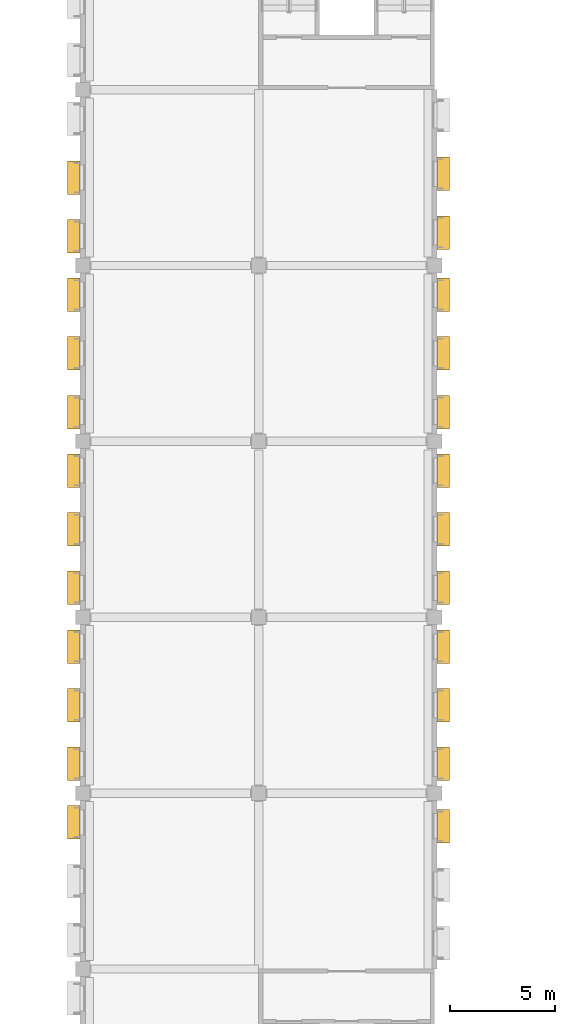
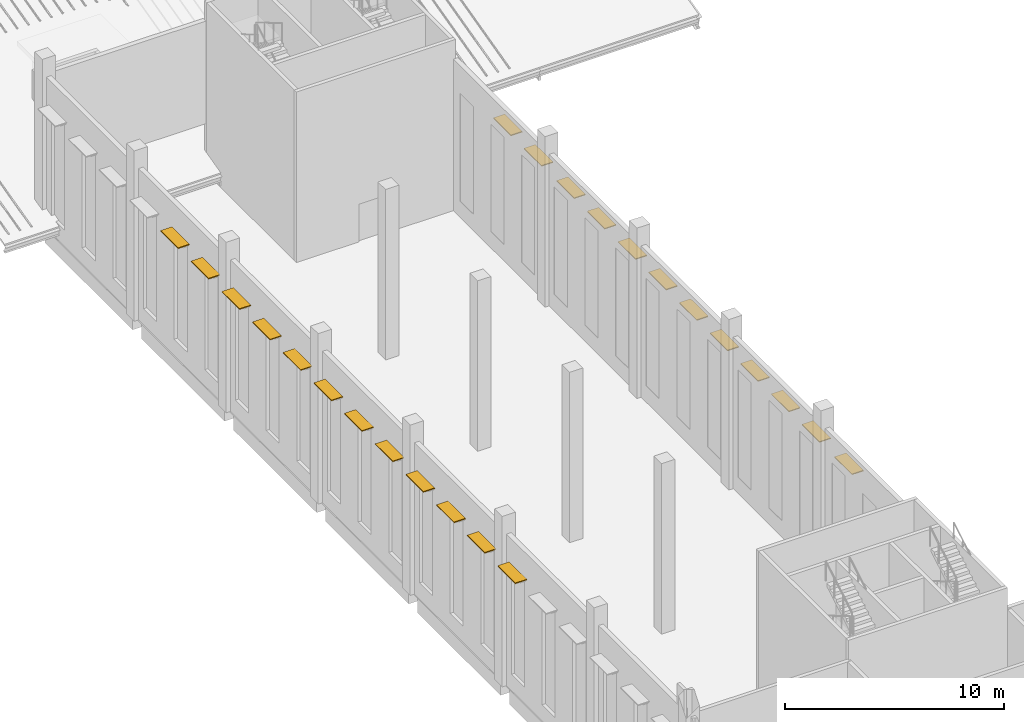
# One storey, part 82 of 114: 24 shading devices.
"""IFC4 building model written with IfcOpenShell, lengths in metres."""

from ifc_helpers import new_model, si_unit, direction, frame, origin, origin_2d, place, context, subcontext, project, spatial, rectangle, extrude, material, material_profile, profile_set, type_object, element, save


model = new_model("IFC4")

# Units and contexts
model_context = context("Model", 3, precision=1e-05, world=origin(), true_north=direction((0.0, 1.0)))
body_context = subcontext(model_context, "Body", "Model", "MODEL_VIEW")
ifc_project = project(units=[si_unit("LENGTHUNIT", "METRE"), si_unit("AREAUNIT", "SQUARE_METRE"), si_unit("VOLUMEUNIT", "CUBIC_METRE"), si_unit("PLANEANGLEUNIT", "RADIAN"), si_unit("MASSUNIT", "GRAM", prefix="KILO")], contexts=[model_context])

# Site, building, storey
site_placement = place(None, origin())
site = spatial("IfcSite", under=ifc_project, at=site_placement, CompositionType="ELEMENT")
building_placement = place(site_placement, origin())
building = spatial("IfcBuilding", under=site, at=building_placement, Name="Almond Square Museum", CompositionType="ELEMENT")
storey_placement = place(building_placement, frame((0.0, 0.0, 10.5)))
storey = spatial("IfcBuildingStorey", under=building, at=storey_placement, Name="L02", CompositionType="ELEMENT", Elevation=10.5)

# Shading devices
ifc_material = material(Name="Anodised aluminium", Category="aluminium")
ifc_material_profile = material_profile(ifc_material, rectangle(XDim=0.60009765625, YDim=0.050048828125, at=origin_2d()))
ifc_profile_set = profile_set([ifc_material_profile], Name="Anodised aluminium")
shading_device_type = type_object("IfcShadingDeviceType", Name="Sun-shade blade 600 x 50", PredefinedType="USERDEFINED", material=ifc_profile_set)
shading_device_1_placement = place(storey_placement, frame((23.222900390625, 31.22509765625, 7.02001953125), z_axis=(0.0, 1.0, 0.0), x_axis=(-1.0, 0.0, 0.0)))
element("IfcShadingDevice", 1, at=shading_device_1_placement, inside=storey, type_object=shading_device_type, Name="Sun-shade blade", ObjectType="LOUVRE", PredefinedType="USERDEFINED", context=body_context, shape_type="SweptSolid", body=[
    extrude(rectangle(XDim=0.60009765625, YDim=0.050048828125, at=origin_2d()), origin(), (0.0, 0.0, 1.0), 1.599853515625),
])
for number, where, z_axis, x_axis, name in (
    (2, (23.222900390625, 34.199951171875, 7.02001953125), (0.0, 1.0, 0.0), (-1.0, 0.0, 0.0), "Sun-shade blade"),
    (3, (23.222900390625, 37.0, 7.02001953125), (0.0, 1.0, 0.0), (-1.0, 0.0, 0.0), "Sun-shade blade"),
):
    element("IfcShadingDevice", number, at=place(storey_placement, frame(where, z_axis=z_axis, x_axis=x_axis)), inside=storey, type_object=shading_device_type, Name=name, ObjectType="LOUVRE", PredefinedType="USERDEFINED", context=body_context, shape_type="SweptSolid", body=[
        extrude(rectangle(XDim=0.60009765625, YDim=0.050048828125, at=origin_2d()), origin(), (0.0, 0.0, 1.0), 1.60009765625),
    ])
for number, where, z_axis, x_axis, name in (
    (4, (23.222900390625, 39.800048828125, 7.02001953125), (0.0, 1.0, 0.0), (-1.0, 0.0, 0.0), "Sun-shade blade"),
    (5, (23.222900390625, 42.60009765625, 7.02001953125), (0.0, 1.0, 0.0), (-1.0, 0.0, 0.0), "Sun-shade blade"),
):
    element("IfcShadingDevice", number, at=place(storey_placement, frame(where, z_axis=z_axis, x_axis=x_axis)), inside=storey, type_object=shading_device_type, Name=name, ObjectType="LOUVRE", PredefinedType="USERDEFINED", context=body_context, shape_type="SweptSolid", body=[
        extrude(rectangle(XDim=0.60009765625, YDim=0.050048828125, at=origin_2d()), origin(), (0.0, 0.0, 1.0), 1.599853515625),
    ])
for number, where, z_axis, x_axis, name in (
    (6, (23.222900390625, 45.39990234375, 7.02001953125), (0.0, 1.0, 0.0), (-1.0, 0.0, 0.0), "Sun-shade blade"),
    (7, (23.222900390625, 48.199951171875, 7.02001953125), (0.0, 1.0, 0.0), (-1.0, 0.0, 0.0), "Sun-shade blade"),
    (8, (23.222900390625, 51.0, 7.02001953125), (0.0, 1.0, 0.0), (-1.0, 0.0, 0.0), "Sun-shade blade"),
):
    element("IfcShadingDevice", number, at=place(storey_placement, frame(where, z_axis=z_axis, x_axis=x_axis)), inside=storey, type_object=shading_device_type, Name=name, ObjectType="LOUVRE", PredefinedType="USERDEFINED", context=body_context, shape_type="SweptSolid", body=[
        extrude(rectangle(XDim=0.60009765625, YDim=0.050048828125, at=origin_2d()), origin(), (0.0, 0.0, 1.0), 1.60009765625),
    ])
for number, where, z_axis, x_axis, name in (
    (9, (23.222900390625, 53.800048828125, 7.02001953125), (0.0, 1.0, 0.0), (-1.0, 0.0, 0.0), "Sun-shade blade"),
    (10, (23.222900390625, 56.60009765625, 7.02001953125), (0.0, 1.0, 0.0), (-1.0, 0.0, 0.0), "Sun-shade blade"),
):
    element("IfcShadingDevice", number, at=place(storey_placement, frame(where, z_axis=z_axis, x_axis=x_axis)), inside=storey, type_object=shading_device_type, Name=name, ObjectType="LOUVRE", PredefinedType="USERDEFINED", context=body_context, shape_type="SweptSolid", body=[
        extrude(rectangle(XDim=0.60009765625, YDim=0.050048828125, at=origin_2d()), origin(), (0.0, 0.0, 1.0), 1.599853515625),
    ])
for number, where, z_axis, x_axis, name in (
    (11, (23.222900390625, 59.574951171875, 7.02001953125), (0.0, 1.0, 0.0), (-1.0, 0.0, 0.0), "Sun-shade blade"),
    (12, (23.222900390625, 62.375, 7.02001953125), (0.0, 1.0, 0.0), (-1.0, 0.0, 0.0), "Sun-shade blade"),
    (13, (5.576904296875, 59.39990234375, 7.02001953125), (0.0, 1.0, 0.0), (-1.0, 0.0, 0.0), "Sun-shade blade"),
    (14, (5.576904296875, 62.199951171875, 7.02001953125), (0.0, 1.0, 0.0), (-1.0, 0.0, 0.0), "Sun-shade blade"),
    (15, (5.576904296875, 51.0, 7.02001953125), (0.0, 1.0, 0.0), (-1.0, 0.0, 0.0), "Sun-shade blade"),
):
    element("IfcShadingDevice", number, at=place(storey_placement, frame(where, z_axis=z_axis, x_axis=x_axis)), inside=storey, type_object=shading_device_type, Name=name, ObjectType="LOUVRE", PredefinedType="USERDEFINED", context=body_context, shape_type="SweptSolid", body=[
        extrude(rectangle(XDim=0.60009765625, YDim=0.050048828125, at=origin_2d()), origin(), (0.0, 0.0, 1.0), 1.60009765625),
    ])
for number, where, z_axis, x_axis, name in (
    (16, (5.576904296875, 53.800048828125, 7.02001953125), (0.0, 1.0, 0.0), (-1.0, 0.0, 0.0), "Sun-shade blade"),
    (17, (5.576904296875, 56.60009765625, 7.02001953125), (0.0, 1.0, 0.0), (-1.0, 0.0, 0.0), "Sun-shade blade"),
    (18, (5.576904296875, 42.60009765625, 7.02001953125), (0.0, 1.0, 0.0), (-1.0, 0.0, 0.0), "Sun-shade blade"),
):
    element("IfcShadingDevice", number, at=place(storey_placement, frame(where, z_axis=z_axis, x_axis=x_axis)), inside=storey, type_object=shading_device_type, Name=name, ObjectType="LOUVRE", PredefinedType="USERDEFINED", context=body_context, shape_type="SweptSolid", body=[
        extrude(rectangle(XDim=0.60009765625, YDim=0.050048828125, at=origin_2d()), origin(), (0.0, 0.0, 1.0), 1.599853515625),
    ])
for number, where, z_axis, x_axis, name in (
    (19, (5.576904296875, 45.39990234375, 7.02001953125), (0.0, 1.0, 0.0), (-1.0, 0.0, 0.0), "Sun-shade blade"),
    (20, (5.576904296875, 48.199951171875, 7.02001953125), (0.0, 1.0, 0.0), (-1.0, 0.0, 0.0), "Sun-shade blade"),
    (21, (5.576904296875, 34.199951171875, 7.02001953125), (0.0, 1.0, 0.0), (-1.0, 0.0, 0.0), "Sun-shade blade"),
    (22, (5.576904296875, 37.0, 7.02001953125), (0.0, 1.0, 0.0), (-1.0, 0.0, 0.0), "Sun-shade blade"),
):
    element("IfcShadingDevice", number, at=place(storey_placement, frame(where, z_axis=z_axis, x_axis=x_axis)), inside=storey, type_object=shading_device_type, Name=name, ObjectType="LOUVRE", PredefinedType="USERDEFINED", context=body_context, shape_type="SweptSolid", body=[
        extrude(rectangle(XDim=0.60009765625, YDim=0.050048828125, at=origin_2d()), origin(), (0.0, 0.0, 1.0), 1.60009765625),
    ])
shading_device_2_placement = place(storey_placement, frame((5.576904296875, 39.800048828125, 7.02001953125), z_axis=(0.0, 1.0, 0.0), x_axis=(-1.0, 0.0, 0.0)))
element("IfcShadingDevice", 23, at=shading_device_2_placement, inside=storey, type_object=shading_device_type, Name="Sun-shade blade", ObjectType="LOUVRE", PredefinedType="USERDEFINED", context=body_context, shape_type="SweptSolid", body=[
    extrude(rectangle(XDim=0.60009765625, YDim=0.050048828125, at=origin_2d()), origin(), (0.0, 0.0, 1.0), 1.599853515625),
])
shading_device_3_placement = place(storey_placement, frame((5.576904296875, 31.39990234375, 7.02001953125), z_axis=(0.0, 1.0, 0.0), x_axis=(-1.0, 0.0, 0.0)))
element("IfcShadingDevice", 24, at=shading_device_3_placement, inside=storey, type_object=shading_device_type, Name="Sun-shade blade", ObjectType="LOUVRE", PredefinedType="USERDEFINED", context=body_context, shape_type="SweptSolid", body=[
    extrude(rectangle(XDim=0.60009765625, YDim=0.050048828125, at=origin_2d()), origin(), (0.0, 0.0, 1.0), 1.60009765625),
])

save(model, "model.ifc")
